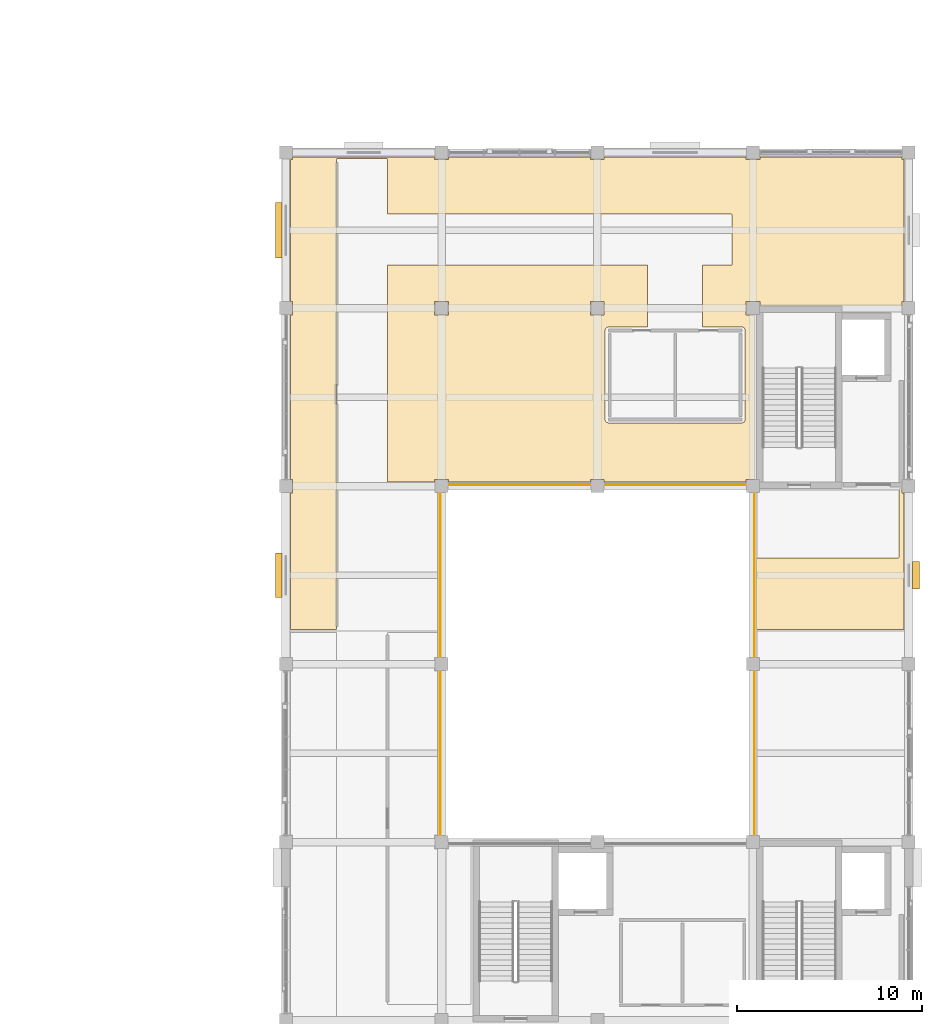
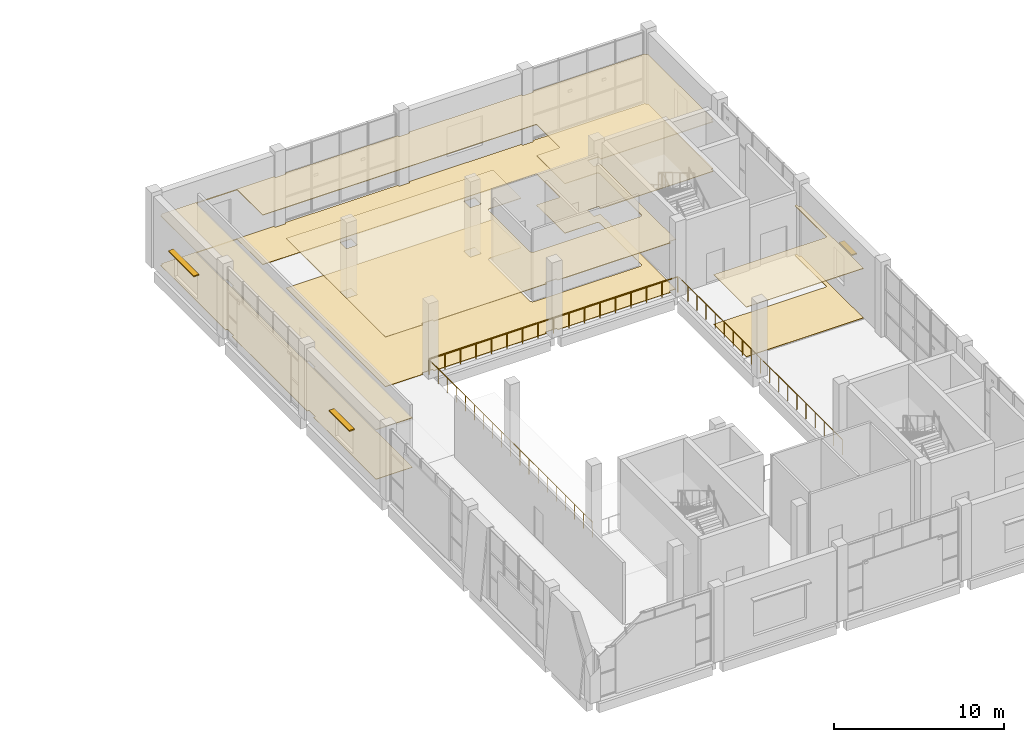
# One storey, part 71 of 72: 4 coverings, 3 railings, 3 shading devices.
"""IFC4 building model written with IfcOpenShell, lengths in metres."""

import ifcopenshell
import ifcopenshell.guid

model = None  # the IFC model being written
_history = None  # IfcOwnerHistory: only IFC2X3 demands one
_inside = {}  # id of a spatial element -> (the spatial element, [elements in it])
_under = {}  # id of a project, library or spatial element -> (it, [spatial elements below it])
_declared = {}  # id of a project -> (the project, [libraries it declares])
_typed = {}  # id of a type object -> (the type object, [elements of that type])
_made_of = {}  # id of a material, layer set ... -> (it, [elements and type objects made of it])


def new_model(schema):
    """Start an empty IFC model of exactly this schema.

    Asked for "IFC4X3", IfcOpenShell would pick the latest addendum, in which some entities
    have other attributes; the version numbers below select the first issue.
    IFC2X3 requires an IfcOwnerHistory on every rooted entity: one is made here for all.
    """
    global model, _history
    if schema == "IFC4X3":
        model = ifcopenshell.file(schema_version=(4, 3, 0, 0))
    else:
        model = ifcopenshell.file(schema=schema)
    _inside.clear()
    _under.clear()
    _declared.clear()
    _typed.clear()
    _made_of.clear()
    _history = None
    if model.schema == "IFC2X3":
        org = make("IfcOrganization", Name="unknown")
        user = make(
            "IfcPersonAndOrganization",
            ThePerson=make("IfcPerson", FamilyName="unknown"),
            TheOrganization=org,
        )
        app = make(
            "IfcApplication",
            ApplicationDeveloper=org,
            Version="unknown",
            ApplicationFullName="unknown",
            ApplicationIdentifier="unknown",
        )
        _history = make(
            "IfcOwnerHistory",
            OwningUser=user,
            OwningApplication=app,
            ChangeAction="ADDED",
            CreationDate=0,
        )
    return model


def make(cls, **values):
    """One entity of the class cls with the attributes given. An attribute that is None is left unset."""
    return model.create_entity(
        cls, **{name: value for name, value in values.items() if value is not None}
    )


def rooted(cls, **values):
    """An entity with a GlobalId (a new one), such as an element, a storey or a relation."""
    return make(cls, GlobalId=ifcopenshell.guid.new(), OwnerHistory=_history, **values)


def si_unit(unit_type, name, prefix=None):
    """IfcSIUnit, for example si_unit("LENGTHUNIT", "METRE", prefix="MILLI")."""
    return make("IfcSIUnit", UnitType=unit_type, Prefix=prefix, Name=name)


def assignment(units):
    """IfcUnitAssignment: the units of a project."""
    return None if units is None else make("IfcUnitAssignment", Units=units)


def point(xyz):
    """IfcCartesianPoint."""
    return None if xyz is None else make("IfcCartesianPoint", Coordinates=xyz)


def direction(xyz):
    """IfcDirection."""
    return None if xyz is None else make("IfcDirection", DirectionRatios=xyz)


def frame(location, z_axis=None, x_axis=None):
    """IfcAxis2Placement3D, a coordinate frame: its origin and axes. An axis left out is left unset."""
    return make(
        "IfcAxis2Placement3D",
        Location=point(location),
        Axis=direction(z_axis),
        RefDirection=direction(x_axis),
    )


def frame_2d(location, x_axis=None):
    """IfcAxis2Placement2D, a coordinate frame in the plane: its origin and x axis."""
    return make(
        "IfcAxis2Placement2D", Location=point(location), RefDirection=direction(x_axis)
    )


def origin():
    """The frame at (0, 0, 0) with its axes left unset."""
    return frame((0.0, 0.0, 0.0))


def origin_2d():
    """The frame at (0, 0) in the plane with its x axis left unset."""
    return frame_2d((0.0, 0.0))


def place(relative_to, where):
    """IfcLocalPlacement: puts the frame where relative to a parent placement (None: the world)."""
    return make(
        "IfcLocalPlacement", PlacementRelTo=relative_to, RelativePlacement=where
    )


def context(
    kind, dimensions, precision=None, world=None, true_north=None, identifier=None
):
    """IfcGeometricRepresentationContext, for example the 3D "Model" context."""
    return make(
        "IfcGeometricRepresentationContext",
        ContextIdentifier=identifier,
        ContextType=kind,
        CoordinateSpaceDimension=dimensions,
        Precision=precision,
        WorldCoordinateSystem=world,
        TrueNorth=true_north,
    )


def subcontext(parent, identifier, kind, view, scale=None):
    """IfcGeometricRepresentationSubContext, for example "Body" below "Model"."""
    return make(
        "IfcGeometricRepresentationSubContext",
        ContextIdentifier=identifier,
        ContextType=kind,
        ParentContext=parent,
        TargetScale=scale,
        TargetView=view,
    )


def project(units=None, contexts=None):
    """IfcProject with its units and contexts."""
    return rooted(
        "IfcProject",
        Name="project",
        RepresentationContexts=contexts,
        UnitsInContext=assignment(units),
    )


def spatial(cls, under=None, at=None, **own):
    """A site, building, storey or space (cls), placed at a placement, below another one or the project."""
    s = rooted(cls, ObjectPlacement=at, **own)
    if under is not None:
        _under.setdefault(under.id(), (under, []))[1].append(s)
    return s


def polyline(points):
    """IfcPolyline through the points."""
    return make("IfcPolyline", Points=[point(p) for p in points])


def profile(cls, at=None, kind="AREA", **sizes):
    """A parametric profile (cls). Its sizes go by their IFC names, for example OverallWidth=200.0."""
    return make(cls, ProfileType=kind, Position=at, **sizes)


def rectangle(**sizes):
    """IfcRectangleProfileDef."""
    return profile("IfcRectangleProfileDef", **sizes)


def circle(**sizes):
    """IfcCircleProfileDef."""
    return profile("IfcCircleProfileDef", **sizes)


def outline(outer, holes=None, kind="AREA"):
    """IfcArbitraryClosedProfileDef: a profile drawn as a closed curve; with holes, ...WithVoids."""
    if holes is None:
        return make("IfcArbitraryClosedProfileDef", ProfileType=kind, OuterCurve=outer)
    return make(
        "IfcArbitraryProfileDefWithVoids",
        ProfileType=kind,
        OuterCurve=outer,
        InnerCurves=holes,
    )


def extrude(swept, where, along, depth):
    """IfcExtrudedAreaSolid: the profile swept, set in the frame where, extruded along a direction by depth."""
    return make(
        "IfcExtrudedAreaSolid",
        SweptArea=swept,
        Position=where,
        ExtrudedDirection=direction(along),
        Depth=depth,
    )


def shape(context_of_items, identifier, shape_type, items):
    """IfcShapeRepresentation: the items that make up one representation, for example the "Body"."""
    return make(
        "IfcShapeRepresentation",
        ContextOfItems=context_of_items,
        RepresentationIdentifier=identifier,
        RepresentationType=shape_type,
        Items=items,
    )


def material(Name=None, Category=None):
    """IfcMaterial."""
    return make("IfcMaterial", Name=Name, Category=Category)


def layer(
    of_material, thickness, ventilated=None, Name=None, Category=None, Priority=None
):
    """IfcMaterialLayer: one layer of a wall or slab, of a material (None: an air gap)."""
    return make(
        "IfcMaterialLayer",
        Material=of_material,
        LayerThickness=thickness,
        IsVentilated=ventilated,
        Name=Name,
        Category=Category,
        Priority=Priority,
    )


def layer_set(layers, Name=None):
    """IfcMaterialLayerSet."""
    return make("IfcMaterialLayerSet", MaterialLayers=layers, LayerSetName=Name)


def made_of(thing, what):
    """Note that an element or type object is made of a material, layer set ...; save() writes the relation."""
    if what is not None:
        _made_of.setdefault(what.id(), (what, []))[1].append(thing)
    return thing


def type_object(cls, material=None, **own):
    """A type object (cls), such as IfcWallType, which elements share."""
    return made_of(rooted(cls, **own), material)


def element(
    cls,
    number,
    at=None,
    inside=None,
    cuts=None,
    type_object=None,
    material=None,
    context=None,
    identifier="Body",
    shape_type=None,
    held_by="IfcProductDefinitionShape",
    body=None,
    shapes=None,
    **own,
):
    """One element of the class cls, such as IfcWall. Its Tag is "e" and its number.

    at: its placement. inside: the storey or other place that contains it. cuts: it is an
    opening in that element (IfcRelVoidsElement). A single representation is given by context,
    identifier, shape_type and body (its items); several are given by shapes. held_by: the class
    of the entity that holds the representations. save() writes the other relations.
    """
    e = rooted(cls, Tag="e%d" % number, ObjectPlacement=at, **own)
    if body is not None:
        shapes = [shape(context, identifier, shape_type, body)]
    if shapes is not None:
        e.Representation = make(held_by, Representations=shapes)
    if inside is not None:
        _inside.setdefault(inside.id(), (inside, []))[1].append(e)
    if cuts is not None:
        rooted(
            "IfcRelVoidsElement", RelatingBuildingElement=cuts, RelatedOpeningElement=e
        )
    if type_object is not None:
        _typed.setdefault(type_object.id(), (type_object, []))[1].append(e)
    return made_of(e, material)


def aggregate(whole, parts):
    """IfcRelAggregates: a whole, such as a stair, and the parts it consists of."""
    return rooted("IfcRelAggregates", RelatingObject=whole, RelatedObjects=parts)


def save(model, path):
    """Write the relations noted so far, then the file.

    IfcRelAggregates (storeys below a building ...), IfcRelContainedInSpatialStructure (elements
    in a storey), IfcRelDefinesByType, IfcRelAssociatesMaterial and IfcRelDeclares: one each for
    every whole, place, type object, material and project.
    """
    for whole, parts in _under.values():
        aggregate(whole, parts)
    for where, things in _inside.values():
        rooted(
            "IfcRelContainedInSpatialStructure",
            RelatedElements=things,
            RelatingStructure=where,
        )
    for kind, things in _typed.values():
        rooted("IfcRelDefinesByType", RelatedObjects=things, RelatingType=kind)
    for what, things in _made_of.values():
        rooted("IfcRelAssociatesMaterial", RelatedObjects=things, RelatingMaterial=what)
    for by, libraries in _declared.values():
        rooted("IfcRelDeclares", RelatingContext=by, RelatedDefinitions=libraries)
    model.write(path)


model = new_model("IFC4")

# Units and contexts
model_context = context("Model", 3, precision=1e-05, world=origin(), true_north=direction((0.0, 1.0)))
body_context = subcontext(model_context, "Body", "Model", "MODEL_VIEW")
ifc_project = project(units=[si_unit("LENGTHUNIT", "METRE"), si_unit("AREAUNIT", "SQUARE_METRE"), si_unit("VOLUMEUNIT", "CUBIC_METRE"), si_unit("PLANEANGLEUNIT", "RADIAN"), si_unit("MASSUNIT", "GRAM", prefix="KILO")], contexts=[model_context])

# Site, building, storey
site_placement = place(None, origin())
site = spatial("IfcSite", under=ifc_project, at=site_placement, CompositionType="ELEMENT")
building_placement = place(site_placement, origin())
building = spatial("IfcBuilding", under=site, at=building_placement, Name="Shalvenor Court Art Gallery", CompositionType="ELEMENT")
storey_placement = place(building_placement, frame((0.0, 0.0, 11.39990234375)))
storey = spatial("IfcBuildingStorey", under=building, at=storey_placement, Name="L02", CompositionType="ELEMENT", Elevation=11.39990234375)

# Coverings
ifc_material_1 = material(Name="Acoustic hinoki timber slat ceiling", Category="wood")
ifc_layer_1 = layer(ifc_material_1, 0.054931640625, Name="Acoustic hinoki timber slat ceiling")
ifc_layer_set_1 = layer_set([ifc_layer_1], Name="Acoustic hinoki timber slat ceiling")
covering_type_1 = type_object("IfcCoveringType", Name="CLG-02", PredefinedType="CEILING", material=ifc_layer_set_1)
covering_1_placement = place(storey_placement, frame((0.0, 0.0, 3.550048828125)))
element("IfcCovering", 1, at=covering_1_placement, inside=storey, type_object=covering_type_1, Name="L02 Curatorial Research Library Acoustic Ceiling", PredefinedType="CEILING", context=body_context, shape_type="SweptSolid", body=[
    extrude(outline(polyline([(176.021484375, 88.9189453125), (176.0, 88.919921875), (168.3701171875, 88.919921875), (168.3701171875, 89.169921875), (167.6298828125, 89.169921875), (167.6298828125, 88.429931640625), (168.080078125, 88.429931640625), (168.080078125, 79.570068359375), (167.6298828125, 79.570068359375), (167.6298828125, 79.429931640625), (159.969970703125, 79.429931640625), (159.969970703125, 79.570068359375), (159.22998046875, 79.570068359375), (159.22998046875, 79.429931640625), (151.570068359375, 79.429931640625), (151.570068359375, 79.570068359375), (150.830078125, 79.570068359375), (150.830078125, 79.429931640625), (148.280029296875, 79.429931640625), (148.280029296875, 91.1201171875), (162.320068359375, 91.1201171875), (162.320068359375, 87.780029296875), (160.199951171875, 87.780029296875), (160.182373046875, 87.779052734375), (160.164794921875, 87.776611328125), (160.147705078125, 87.772216796875), (160.131103515625, 87.766357421875), (160.114990234375, 87.7587890625), (160.10009765625, 87.749755859375), (160.085693359375, 87.739013671875), (160.07275390625, 87.727294921875), (160.060791015625, 87.714111328125), (160.05029296875, 87.699951171875), (160.041259765625, 87.684814453125), (160.03369140625, 87.6689453125), (160.02783203125, 87.65234375), (160.0234375, 87.635009765625), (160.02099609375, 87.61767578125), (160.02001953125, 87.60009765625), (160.02001953125, 82.800048828125), (160.02099609375, 82.782470703125), (160.0234375, 82.764892578125), (160.02783203125, 82.747802734375), (160.03369140625, 82.731201171875), (160.041259765625, 82.715087890625), (160.05029296875, 82.699951171875), (160.060791015625, 82.685791015625), (160.07275390625, 82.672607421875), (160.085693359375, 82.660888671875), (160.10009765625, 82.650390625), (160.114990234375, 82.641357421875), (160.131103515625, 82.6337890625), (160.147705078125, 82.627685546875), (160.164794921875, 82.62353515625), (160.182373046875, 82.620849609375), (160.199951171875, 82.6201171875), (167.39990234375, 82.6201171875), (167.41748046875, 82.620849609375), (167.43505859375, 82.62353515625), (167.452392578125, 82.627685546875), (167.468994140625, 82.6337890625), (167.48486328125, 82.641357421875), (167.5, 82.650390625), (167.51416015625, 82.660888671875), (167.52734375, 82.672607421875), (167.5390625, 82.685791015625), (167.5498046875, 82.699951171875), (167.55859375, 82.715087890625), (167.56640625, 82.731201171875), (167.572265625, 82.747802734375), (167.576416015625, 82.764892578125), (167.5791015625, 82.782470703125), (167.580078125, 82.800048828125), (167.580078125, 87.60009765625), (167.5791015625, 87.61767578125), (167.576416015625, 87.635009765625), (167.572265625, 87.65234375), (167.56640625, 87.6689453125), (167.55859375, 87.684814453125), (167.5498046875, 87.699951171875), (167.5390625, 87.714111328125), (167.52734375, 87.727294921875), (167.51416015625, 87.739013671875), (167.5, 87.749755859375), (167.48486328125, 87.7587890625), (167.468994140625, 87.766357421875), (167.452392578125, 87.772216796875), (167.43505859375, 87.776611328125), (167.41748046875, 87.779052734375), (167.39990234375, 87.780029296875), (165.280029296875, 87.780029296875), (165.280029296875, 91.1201171875), (166.800048828125, 91.1201171875), (166.807861328125, 91.120361328125), (166.815673828125, 91.12158203125), (166.8232421875, 91.123291015625), (166.83056640625, 91.126220703125), (166.837646484375, 91.12939453125), (166.844482421875, 91.133544921875), (166.850830078125, 91.13818359375), (166.856689453125, 91.143310546875), (166.86181640625, 91.149169921875), (166.866455078125, 91.155517578125), (166.87060546875, 91.162353515625), (166.873779296875, 91.16943359375), (166.876708984375, 91.1767578125), (166.87841796875, 91.184326171875), (166.879638671875, 91.192138671875), (166.8798828125, 91.199951171875), (166.8798828125, 93.800048828125), (166.879638671875, 93.807861328125), (166.87841796875, 93.815673828125), (166.876708984375, 93.8232421875), (166.873779296875, 93.83056640625), (166.87060546875, 93.837646484375), (166.866455078125, 93.844482421875), (166.86181640625, 93.850830078125), (166.856689453125, 93.856689453125), (166.850830078125, 93.86181640625), (166.844482421875, 93.866455078125), (166.837646484375, 93.87060546875), (166.83056640625, 93.873779296875), (166.8232421875, 93.876708984375), (166.815673828125, 93.87841796875), (166.807861328125, 93.879638671875), (166.800048828125, 93.8798828125), (148.280029296875, 93.8798828125), (148.280029296875, 96.800048828125), (148.279541015625, 96.807861328125), (148.278564453125, 96.815673828125), (148.276611328125, 96.8232421875), (148.27392578125, 96.83056640625), (148.2705078125, 96.837646484375), (148.2666015625, 96.844482421875), (148.26171875, 96.850830078125), (148.256591796875, 96.856689453125), (148.250732421875, 96.86181640625), (148.244384765625, 96.866455078125), (148.23779296875, 96.87060546875), (148.230712890625, 96.873779296875), (148.22314453125, 96.876708984375), (148.215576171875, 96.87841796875), (148.207763671875, 96.879638671875), (148.199951171875, 96.8798828125), (145.60009765625, 96.8798828125), (145.59228515625, 96.879638671875), (145.58447265625, 96.87841796875), (145.576904296875, 96.876708984375), (145.5693359375, 96.873779296875), (145.562255859375, 96.87060546875), (145.5556640625, 96.866455078125), (145.54931640625, 96.86181640625), (145.54345703125, 96.856689453125), (145.5380859375, 96.850830078125), (145.533447265625, 96.844482421875), (145.529296875, 96.837646484375), (145.526123046875, 96.83056640625), (145.5234375, 96.8232421875), (145.521484375, 96.815673828125), (145.5205078125, 96.807861328125), (145.52001953125, 96.800048828125), (145.52001953125, 71.47998046875), (143.050048828125, 71.47998046875), (143.050048828125, 78.830078125), (143.169921875, 78.830078125), (143.169921875, 79.570068359375), (143.050048828125, 79.570068359375), (143.050048828125, 88.429931640625), (143.169921875, 88.429931640625), (143.169921875, 89.169921875), (143.050048828125, 89.169921875), (143.050048828125, 96.830078125), (143.169921875, 96.830078125), (143.169921875, 96.949951171875), (150.830078125, 96.949951171875), (150.830078125, 96.830078125), (151.570068359375, 96.830078125), (151.570068359375, 96.949951171875), (159.22998046875, 96.949951171875), (159.22998046875, 96.830078125), (159.969970703125, 96.830078125), (159.969970703125, 96.949951171875), (167.6298828125, 96.949951171875), (167.6298828125, 96.830078125), (168.3701171875, 96.830078125), (168.3701171875, 96.949951171875), (176.030029296875, 96.949951171875), (176.030029296875, 96.830078125), (176.14990234375, 96.830078125), (176.14990234375, 89.169921875), (176.030029296875, 89.169921875), (176.030029296875, 88.917724609375), (176.021484375, 88.9189453125)]), holes=[polyline([(150.830078125, 89.169921875), (150.830078125, 88.429931640625), (151.570068359375, 88.429931640625), (151.570068359375, 89.169921875), (150.830078125, 89.169921875)]), polyline([(159.22998046875, 89.169921875), (159.22998046875, 88.429931640625), (159.969970703125, 88.429931640625), (159.969970703125, 89.169921875), (159.22998046875, 89.169921875)])]), origin(), (0.0, 0.0, 1.0), 0.045166015625),
])
covering_2_placement = place(storey_placement, frame((0.0, 0.0, 3.550048828125)))
element("IfcCovering", 2, at=covering_2_placement, inside=storey, type_object=covering_type_1, Name="L02 Curatorial Research Library Wing B Acoustic Ceiling", PredefinedType="CEILING", context=body_context, shape_type="SweptSolid", body=[
    extrude(outline(polyline([(175.800048828125, 75.320068359375), (175.807861328125, 75.3203125), (175.815673828125, 75.321533203125), (175.8232421875, 75.323486328125), (175.83056640625, 75.326171875), (175.837646484375, 75.329345703125), (175.844482421875, 75.33349609375), (175.850830078125, 75.338134765625), (175.856689453125, 75.343505859375), (175.86181640625, 75.34912109375), (175.866455078125, 75.355712890625), (175.87060546875, 75.3623046875), (175.873779296875, 75.369384765625), (175.876708984375, 75.376708984375), (175.87841796875, 75.384521484375), (175.879638671875, 75.39208984375), (175.8798828125, 75.39990234375), (175.8798828125, 79.080078125), (176.0, 79.080078125), (176.021484375, 79.0810546875), (176.030029296875, 79.082275390625), (176.030029296875, 78.830078125), (176.14990234375, 78.830078125), (176.14990234375, 71.47998046875), (168.199951171875, 71.47998046875), (168.199951171875, 75.320068359375), (175.800048828125, 75.320068359375)])), origin(), (0.0, 0.0, 1.0), 0.045166015625),
])
ifc_material_2 = material(Name="Quarter-sawn white oak gallery flooring", Category="wood")
ifc_layer_2 = layer(ifc_material_2, 0.031982421875, Name="Quarter-sawn white oak gallery flooring")
ifc_layer_set_2 = layer_set([ifc_layer_2], Name="Quarter-sawn white oak gallery flooring")
covering_type_2 = type_object("IfcCoveringType", Name="FLR-02", PredefinedType="FLOORING", material=ifc_layer_set_2)
covering_3_placement = place(storey_placement, origin())
element("IfcCovering", 3, at=covering_3_placement, inside=storey, type_object=covering_type_2, Name="L02 Curatorial Research Library Flooring", PredefinedType="FLOORING", context=body_context, shape_type="SweptSolid", body=[
    extrude(outline(polyline([(176.021484375, 88.9189453125), (176.0, 88.919921875), (168.3701171875, 88.919921875), (168.3701171875, 89.169921875), (167.6298828125, 89.169921875), (167.6298828125, 88.429931640625), (168.080078125, 88.429931640625), (168.080078125, 79.570068359375), (167.6298828125, 79.570068359375), (167.6298828125, 79.429931640625), (159.969970703125, 79.429931640625), (159.969970703125, 79.570068359375), (159.22998046875, 79.570068359375), (159.22998046875, 79.429931640625), (151.570068359375, 79.429931640625), (151.570068359375, 79.570068359375), (150.830078125, 79.570068359375), (150.830078125, 79.429931640625), (148.280029296875, 79.429931640625), (148.280029296875, 91.1201171875), (162.320068359375, 91.1201171875), (162.320068359375, 87.780029296875), (160.199951171875, 87.780029296875), (160.182373046875, 87.779052734375), (160.164794921875, 87.776611328125), (160.147705078125, 87.772216796875), (160.131103515625, 87.766357421875), (160.114990234375, 87.7587890625), (160.10009765625, 87.749755859375), (160.085693359375, 87.739013671875), (160.07275390625, 87.727294921875), (160.060791015625, 87.714111328125), (160.05029296875, 87.699951171875), (160.041259765625, 87.684814453125), (160.03369140625, 87.6689453125), (160.02783203125, 87.65234375), (160.0234375, 87.635009765625), (160.02099609375, 87.61767578125), (160.02001953125, 87.60009765625), (160.02001953125, 82.800048828125), (160.02099609375, 82.782470703125), (160.0234375, 82.764892578125), (160.02783203125, 82.747802734375), (160.03369140625, 82.731201171875), (160.041259765625, 82.715087890625), (160.05029296875, 82.699951171875), (160.060791015625, 82.685791015625), (160.07275390625, 82.672607421875), (160.085693359375, 82.660888671875), (160.10009765625, 82.650390625), (160.114990234375, 82.641357421875), (160.131103515625, 82.6337890625), (160.147705078125, 82.627685546875), (160.164794921875, 82.62353515625), (160.182373046875, 82.620849609375), (160.199951171875, 82.6201171875), (167.39990234375, 82.6201171875), (167.41748046875, 82.620849609375), (167.43505859375, 82.62353515625), (167.452392578125, 82.627685546875), (167.468994140625, 82.6337890625), (167.48486328125, 82.641357421875), (167.5, 82.650390625), (167.51416015625, 82.660888671875), (167.52734375, 82.672607421875), (167.5390625, 82.685791015625), (167.5498046875, 82.699951171875), (167.55859375, 82.715087890625), (167.56640625, 82.731201171875), (167.572265625, 82.747802734375), (167.576416015625, 82.764892578125), (167.5791015625, 82.782470703125), (167.580078125, 82.800048828125), (167.580078125, 87.60009765625), (167.5791015625, 87.61767578125), (167.576416015625, 87.635009765625), (167.572265625, 87.65234375), (167.56640625, 87.6689453125), (167.55859375, 87.684814453125), (167.5498046875, 87.699951171875), (167.5390625, 87.714111328125), (167.52734375, 87.727294921875), (167.51416015625, 87.739013671875), (167.5, 87.749755859375), (167.48486328125, 87.7587890625), (167.468994140625, 87.766357421875), (167.452392578125, 87.772216796875), (167.43505859375, 87.776611328125), (167.41748046875, 87.779052734375), (167.39990234375, 87.780029296875), (165.280029296875, 87.780029296875), (165.280029296875, 91.1201171875), (166.800048828125, 91.1201171875), (166.807861328125, 91.120361328125), (166.815673828125, 91.12158203125), (166.8232421875, 91.123291015625), (166.83056640625, 91.126220703125), (166.837646484375, 91.12939453125), (166.844482421875, 91.133544921875), (166.850830078125, 91.13818359375), (166.856689453125, 91.143310546875), (166.86181640625, 91.149169921875), (166.866455078125, 91.155517578125), (166.87060546875, 91.162353515625), (166.873779296875, 91.16943359375), (166.876708984375, 91.1767578125), (166.87841796875, 91.184326171875), (166.879638671875, 91.192138671875), (166.8798828125, 91.199951171875), (166.8798828125, 93.800048828125), (166.879638671875, 93.807861328125), (166.87841796875, 93.815673828125), (166.876708984375, 93.8232421875), (166.873779296875, 93.83056640625), (166.87060546875, 93.837646484375), (166.866455078125, 93.844482421875), (166.86181640625, 93.850830078125), (166.856689453125, 93.856689453125), (166.850830078125, 93.86181640625), (166.844482421875, 93.866455078125), (166.837646484375, 93.87060546875), (166.83056640625, 93.873779296875), (166.8232421875, 93.876708984375), (166.815673828125, 93.87841796875), (166.807861328125, 93.879638671875), (166.800048828125, 93.8798828125), (148.280029296875, 93.8798828125), (148.280029296875, 96.800048828125), (148.279541015625, 96.807861328125), (148.278564453125, 96.815673828125), (148.276611328125, 96.8232421875), (148.27392578125, 96.83056640625), (148.2705078125, 96.837646484375), (148.2666015625, 96.844482421875), (148.26171875, 96.850830078125), (148.256591796875, 96.856689453125), (148.250732421875, 96.86181640625), (148.244384765625, 96.866455078125), (148.23779296875, 96.87060546875), (148.230712890625, 96.873779296875), (148.22314453125, 96.876708984375), (148.215576171875, 96.87841796875), (148.207763671875, 96.879638671875), (148.199951171875, 96.8798828125), (145.60009765625, 96.8798828125), (145.59228515625, 96.879638671875), (145.58447265625, 96.87841796875), (145.576904296875, 96.876708984375), (145.5693359375, 96.873779296875), (145.562255859375, 96.87060546875), (145.5556640625, 96.866455078125), (145.54931640625, 96.86181640625), (145.54345703125, 96.856689453125), (145.5380859375, 96.850830078125), (145.533447265625, 96.844482421875), (145.529296875, 96.837646484375), (145.526123046875, 96.83056640625), (145.5234375, 96.8232421875), (145.521484375, 96.815673828125), (145.5205078125, 96.807861328125), (145.52001953125, 96.800048828125), (145.52001953125, 71.47998046875), (143.050048828125, 71.47998046875), (143.050048828125, 78.830078125), (143.169921875, 78.830078125), (143.169921875, 79.570068359375), (143.050048828125, 79.570068359375), (143.050048828125, 88.429931640625), (143.169921875, 88.429931640625), (143.169921875, 89.169921875), (143.050048828125, 89.169921875), (143.050048828125, 96.830078125), (143.169921875, 96.830078125), (143.169921875, 96.949951171875), (150.830078125, 96.949951171875), (150.830078125, 96.830078125), (151.570068359375, 96.830078125), (151.570068359375, 96.949951171875), (159.22998046875, 96.949951171875), (159.22998046875, 96.830078125), (159.969970703125, 96.830078125), (159.969970703125, 96.949951171875), (167.6298828125, 96.949951171875), (167.6298828125, 96.830078125), (168.3701171875, 96.830078125), (168.3701171875, 96.949951171875), (176.030029296875, 96.949951171875), (176.030029296875, 96.830078125), (176.14990234375, 96.830078125), (176.14990234375, 89.169921875), (176.030029296875, 89.169921875), (176.030029296875, 88.917724609375), (176.021484375, 88.9189453125)]), holes=[polyline([(150.830078125, 89.169921875), (150.830078125, 88.429931640625), (151.570068359375, 88.429931640625), (151.570068359375, 89.169921875), (150.830078125, 89.169921875)]), polyline([(159.22998046875, 89.169921875), (159.22998046875, 88.429931640625), (159.969970703125, 88.429931640625), (159.969970703125, 89.169921875), (159.22998046875, 89.169921875)])]), origin(), (0.0, 0.0, 1.0), 0.031982421875),
])
covering_4_placement = place(storey_placement, origin())
element("IfcCovering", 4, at=covering_4_placement, inside=storey, type_object=covering_type_2, Name="L02 Curatorial Research Library Wing B Flooring", PredefinedType="FLOORING", context=body_context, shape_type="SweptSolid", body=[
    extrude(outline(polyline([(175.800048828125, 75.320068359375), (175.807861328125, 75.3203125), (175.815673828125, 75.321533203125), (175.8232421875, 75.323486328125), (175.83056640625, 75.326171875), (175.837646484375, 75.329345703125), (175.844482421875, 75.33349609375), (175.850830078125, 75.338134765625), (175.856689453125, 75.343505859375), (175.86181640625, 75.34912109375), (175.866455078125, 75.355712890625), (175.87060546875, 75.3623046875), (175.873779296875, 75.369384765625), (175.876708984375, 75.376708984375), (175.87841796875, 75.384521484375), (175.879638671875, 75.39208984375), (175.8798828125, 75.39990234375), (175.8798828125, 79.080078125), (176.0, 79.080078125), (176.021484375, 79.0810546875), (176.030029296875, 79.082275390625), (176.030029296875, 78.830078125), (176.14990234375, 78.830078125), (176.14990234375, 71.47998046875), (168.199951171875, 71.47998046875), (168.199951171875, 75.320068359375), (175.800048828125, 75.320068359375)])), origin(), (0.0, 0.0, 1.0), 0.031982421875),
])

# Railings
ifc_material_3 = material(Name="Stainless steel and laminated glass balustrade", Category="steel")
railing_type = type_object("IfcRailingType", Name="GR-01", PredefinedType="BALUSTRADE", material=ifc_material_3)
railing_1_placement = place(storey_placement, frame((168.080078125, 59.97998046875, 0.0)))
element("IfcRailing", 5, at=railing_1_placement, inside=storey, type_object=railing_type, Name="L02 Atrium Gallery Balustrade 2", PredefinedType="BALUSTRADE", context=body_context, shape_type="SweptSolid", body=[
    extrude(circle(Radius=0.02392578125, at=origin_2d()), frame((0.0, 0.0, 1.09619140625), z_axis=(0.0, 1.0, 0.0), x_axis=(-1.0, 0.0, 0.0)), (0.0, 0.0, 1.0), 19.239990234375),
    extrude(circle(Radius=0.02099609375, at=origin_2d()), origin(), (0.0, 0.0, 1.0), 1.072021484375),
    extrude(circle(Radius=0.02099609375, at=origin_2d()), frame((0.0, 1.06884765625, 0.0)), (0.0, 0.0, 1.0), 1.072021484375),
    extrude(circle(Radius=0.02099609375, at=origin_2d()), frame((0.0, 2.1376953125, 0.0)), (0.0, 0.0, 1.0), 1.072021484375),
    extrude(circle(Radius=0.02099609375, at=origin_2d()), frame((0.0, 3.20654296875, 0.0)), (0.0, 0.0, 1.0), 1.072021484375),
    extrude(circle(Radius=0.02099609375, at=origin_2d()), frame((0.0, 4.275634765625, 0.0)), (0.0, 0.0, 1.0), 1.072021484375),
    extrude(circle(Radius=0.02099609375, at=origin_2d()), frame((0.0, 5.344482421875, 0.0)), (0.0, 0.0, 1.0), 1.072021484375),
    extrude(circle(Radius=0.02099609375, at=origin_2d()), frame((0.0, 6.413330078125, 0.0)), (0.0, 0.0, 1.0), 1.072021484375),
    extrude(circle(Radius=0.02099609375, at=origin_2d()), frame((0.0, 7.482177734375, 0.0)), (0.0, 0.0, 1.0), 1.072021484375),
    extrude(circle(Radius=0.02099609375, at=origin_2d()), frame((0.0, 8.551025390625, 0.0)), (0.0, 0.0, 1.0), 1.072021484375),
    extrude(circle(Radius=0.02099609375, at=origin_2d()), frame((0.0, 9.6201171875, 0.0)), (0.0, 0.0, 1.0), 1.072021484375),
    extrude(circle(Radius=0.02099609375, at=origin_2d()), frame((0.0, 10.68896484375, 0.0)), (0.0, 0.0, 1.0), 1.072021484375),
    extrude(circle(Radius=0.02099609375, at=origin_2d()), frame((0.0, 11.7578125, 0.0)), (0.0, 0.0, 1.0), 1.072021484375),
    extrude(circle(Radius=0.02099609375, at=origin_2d()), frame((0.0, 12.82666015625, 0.0)), (0.0, 0.0, 1.0), 1.072021484375),
    extrude(circle(Radius=0.02099609375, at=origin_2d()), frame((0.0, 13.8955078125, 0.0)), (0.0, 0.0, 1.0), 1.072021484375),
    extrude(circle(Radius=0.02099609375, at=origin_2d()), frame((0.0, 14.96435546875, 0.0)), (0.0, 0.0, 1.0), 1.072021484375),
    extrude(circle(Radius=0.02099609375, at=origin_2d()), frame((0.0, 16.033203125, 0.0)), (0.0, 0.0, 1.0), 1.072021484375),
    extrude(circle(Radius=0.02099609375, at=origin_2d()), frame((0.0, 17.102294921875, 0.0)), (0.0, 0.0, 1.0), 1.072021484375),
    extrude(circle(Radius=0.02099609375, at=origin_2d()), frame((0.0, 18.171142578125, 0.0)), (0.0, 0.0, 1.0), 1.072021484375),
    extrude(circle(Radius=0.02099609375, at=origin_2d()), frame((0.0, 19.239990234375, 0.0)), (0.0, 0.0, 1.0), 1.072021484375),
])
railing_2_placement = place(storey_placement, frame((168.02001953125, 79.280029296875, 0.0)))
element("IfcRailing", 6, at=railing_2_placement, inside=storey, type_object=railing_type, Name="L02 Atrium Gallery Balustrade 3", PredefinedType="BALUSTRADE", context=body_context, shape_type="SweptSolid", body=[
    extrude(circle(Radius=0.02392578125, at=origin_2d()), frame((0.0, 0.0, 1.09619140625), z_axis=(-1.0, 0.0, 0.0), x_axis=(0.0, -1.0, 0.0)), (0.0, 0.0, 1.0), 16.840087890625),
    extrude(circle(Radius=0.02099609375, at=origin_2d()), origin(), (0.0, 0.0, 1.0), 1.072021484375),
    extrude(circle(Radius=0.02099609375, at=origin_2d()), frame((-1.052490234375, 0.0, 0.0)), (0.0, 0.0, 1.0), 1.072021484375),
    extrude(circle(Radius=0.02099609375, at=origin_2d()), frame((-2.10498046875, 0.0, 0.0)), (0.0, 0.0, 1.0), 1.072021484375),
    extrude(circle(Radius=0.02099609375, at=origin_2d()), frame((-3.157470703125, 0.0, 0.0)), (0.0, 0.0, 1.0), 1.072021484375),
    extrude(circle(Radius=0.02099609375, at=origin_2d()), frame((-4.2099609375, 0.0, 0.0)), (0.0, 0.0, 1.0), 1.072021484375),
    extrude(circle(Radius=0.02099609375, at=origin_2d()), frame((-5.262451171875, 0.0, 0.0)), (0.0, 0.0, 1.0), 1.072021484375),
    extrude(circle(Radius=0.02099609375, at=origin_2d()), frame((-6.31494140625, 0.0, 0.0)), (0.0, 0.0, 1.0), 1.072021484375),
    extrude(circle(Radius=0.02099609375, at=origin_2d()), frame((-7.367431640625, 0.0, 0.0)), (0.0, 0.0, 1.0), 1.072021484375),
    extrude(circle(Radius=0.02099609375, at=origin_2d()), frame((-8.419921875, 0.0, 0.0)), (0.0, 0.0, 1.0), 1.072021484375),
    extrude(circle(Radius=0.02099609375, at=origin_2d()), frame((-9.47265625, 0.0, 0.0)), (0.0, 0.0, 1.0), 1.072021484375),
    extrude(circle(Radius=0.02099609375, at=origin_2d()), frame((-10.525146484375, 0.0, 0.0)), (0.0, 0.0, 1.0), 1.072021484375),
    extrude(circle(Radius=0.02099609375, at=origin_2d()), frame((-11.57763671875, 0.0, 0.0)), (0.0, 0.0, 1.0), 1.072021484375),
    extrude(circle(Radius=0.02099609375, at=origin_2d()), frame((-12.630126953125, 0.0, 0.0)), (0.0, 0.0, 1.0), 1.072021484375),
    extrude(circle(Radius=0.02099609375, at=origin_2d()), frame((-13.6826171875, 0.0, 0.0)), (0.0, 0.0, 1.0), 1.072021484375),
    extrude(circle(Radius=0.02099609375, at=origin_2d()), frame((-14.735107421875, 0.0, 0.0)), (0.0, 0.0, 1.0), 1.072021484375),
    extrude(circle(Radius=0.02099609375, at=origin_2d()), frame((-15.78759765625, 0.0, 0.0)), (0.0, 0.0, 1.0), 1.072021484375),
    extrude(circle(Radius=0.02099609375, at=origin_2d()), frame((-16.840087890625, 0.0, 0.0)), (0.0, 0.0, 1.0), 1.072021484375),
])
railing_3_placement = place(storey_placement, frame((151.1201171875, 79.219970703125, 0.0)))
element("IfcRailing", 7, at=railing_3_placement, inside=storey, type_object=railing_type, Name="L02 Atrium Gallery Balustrade 4", PredefinedType="BALUSTRADE", context=body_context, shape_type="SweptSolid", body=[
    extrude(circle(Radius=0.02392578125, at=origin_2d()), frame((0.0, 0.0, 1.09619140625), z_axis=(0.0, -1.0, 0.0), x_axis=(1.0, 0.0, 0.0)), (0.0, 0.0, 1.0), 19.239990234375),
    extrude(circle(Radius=0.02099609375, at=origin_2d()), origin(), (0.0, 0.0, 1.0), 1.072021484375),
    extrude(circle(Radius=0.02099609375, at=origin_2d()), frame((0.0, -1.06884765625, 0.0)), (0.0, 0.0, 1.0), 1.072021484375),
    extrude(circle(Radius=0.02099609375, at=origin_2d()), frame((0.0, -2.1376953125, 0.0)), (0.0, 0.0, 1.0), 1.072021484375),
    extrude(circle(Radius=0.02099609375, at=origin_2d()), frame((0.0, -3.20654296875, 0.0)), (0.0, 0.0, 1.0), 1.072021484375),
    extrude(circle(Radius=0.02099609375, at=origin_2d()), frame((0.0, -4.275634765625, 0.0)), (0.0, 0.0, 1.0), 1.072021484375),
    extrude(circle(Radius=0.02099609375, at=origin_2d()), frame((0.0, -5.344482421875, 0.0)), (0.0, 0.0, 1.0), 1.072021484375),
    extrude(circle(Radius=0.02099609375, at=origin_2d()), frame((0.0, -6.413330078125, 0.0)), (0.0, 0.0, 1.0), 1.072021484375),
    extrude(circle(Radius=0.02099609375, at=origin_2d()), frame((0.0, -7.482177734375, 0.0)), (0.0, 0.0, 1.0), 1.072021484375),
    extrude(circle(Radius=0.02099609375, at=origin_2d()), frame((0.0, -8.551025390625, 0.0)), (0.0, 0.0, 1.0), 1.072021484375),
    extrude(circle(Radius=0.02099609375, at=origin_2d()), frame((0.0, -9.6201171875, 0.0)), (0.0, 0.0, 1.0), 1.072021484375),
    extrude(circle(Radius=0.02099609375, at=origin_2d()), frame((0.0, -10.68896484375, 0.0)), (0.0, 0.0, 1.0), 1.072021484375),
    extrude(circle(Radius=0.02099609375, at=origin_2d()), frame((0.0, -11.7578125, 0.0)), (0.0, 0.0, 1.0), 1.072021484375),
    extrude(circle(Radius=0.02099609375, at=origin_2d()), frame((0.0, -12.82666015625, 0.0)), (0.0, 0.0, 1.0), 1.072021484375),
    extrude(circle(Radius=0.02099609375, at=origin_2d()), frame((0.0, -13.8955078125, 0.0)), (0.0, 0.0, 1.0), 1.072021484375),
    extrude(circle(Radius=0.02099609375, at=origin_2d()), frame((0.0, -14.96435546875, 0.0)), (0.0, 0.0, 1.0), 1.072021484375),
    extrude(circle(Radius=0.02099609375, at=origin_2d()), frame((0.0, -16.033203125, 0.0)), (0.0, 0.0, 1.0), 1.072021484375),
    extrude(circle(Radius=0.02099609375, at=origin_2d()), frame((0.0, -17.102294921875, 0.0)), (0.0, 0.0, 1.0), 1.072021484375),
    extrude(circle(Radius=0.02099609375, at=origin_2d()), frame((0.0, -18.171142578125, 0.0)), (0.0, 0.0, 1.0), 1.072021484375),
    extrude(circle(Radius=0.02099609375, at=origin_2d()), frame((0.0, -19.239990234375, 0.0)), (0.0, 0.0, 1.0), 1.072021484375),
])

# Shading devices
ifc_material_4 = material(Name="Dark anodised bronze aluminium louvre", Category="aluminium")
shading_device_type = type_object("IfcShadingDeviceType", Name="SHD-01", PredefinedType="JALOUSIE", material=ifc_material_4)
shading_device_1_placement = place(storey_placement, frame((176.7900390625, 74.39990234375, 3.0), z_axis=(0.0, 0.0, 1.0), x_axis=(0.0, -1.0, 0.0)))
element("IfcShadingDevice", 8, at=shading_device_1_placement, inside=storey, type_object=shading_device_type, Name="L02 Koushi Window Sunshade 8", PredefinedType="JALOUSIE", context=body_context, shape_type="SweptSolid", body=[
    extrude(rectangle(XDim=1.5, YDim=0.360107421875, at=origin_2d()), origin(), (0.0, 0.0, 1.0), 0.080078125),
])
shading_device_2_placement = place(storey_placement, frame((142.409912109375, 74.39990234375, 2.699951171875), z_axis=(0.0, 0.0, 1.0), x_axis=(0.0, 1.0, 0.0)))
element("IfcShadingDevice", 9, at=shading_device_2_placement, inside=storey, type_object=shading_device_type, Name="L02 Koushi Window Sunshade 11", PredefinedType="JALOUSIE", context=body_context, shape_type="SweptSolid", body=[
    extrude(rectangle(XDim=2.39990234375, YDim=0.360107421875, at=origin_2d()), origin(), (0.0, 0.0, 1.0), 0.080078125),
])
shading_device_3_placement = place(storey_placement, frame((142.409912109375, 93.0, 2.699951171875), z_axis=(0.0, 0.0, 1.0), x_axis=(0.0, 1.0, 0.0)))
element("IfcShadingDevice", 10, at=shading_device_3_placement, inside=storey, type_object=shading_device_type, Name="L02 Koushi Window Sunshade 12", PredefinedType="JALOUSIE", context=body_context, shape_type="SweptSolid", body=[
    extrude(rectangle(XDim=3.0, YDim=0.360107421875, at=origin_2d()), origin(), (0.0, 0.0, 1.0), 0.080078125),
])

save(model, "model.ifc")
